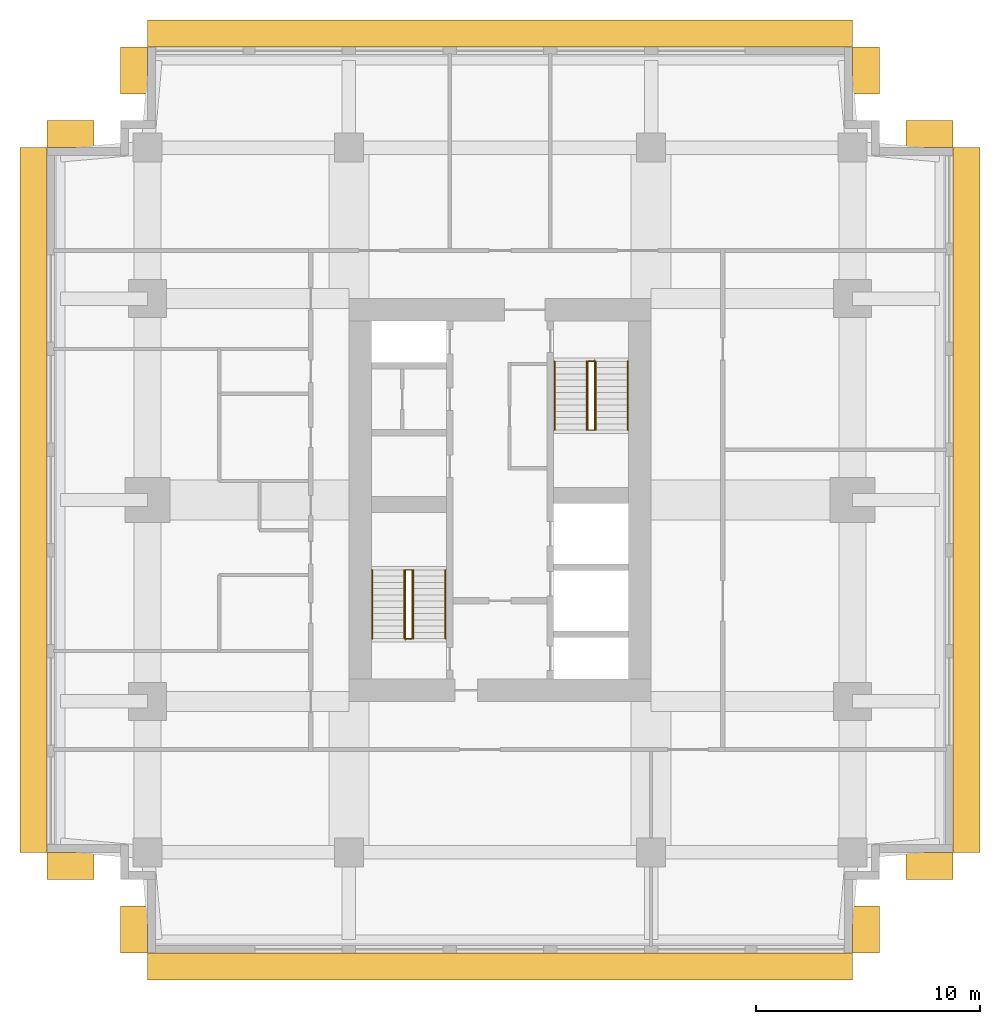
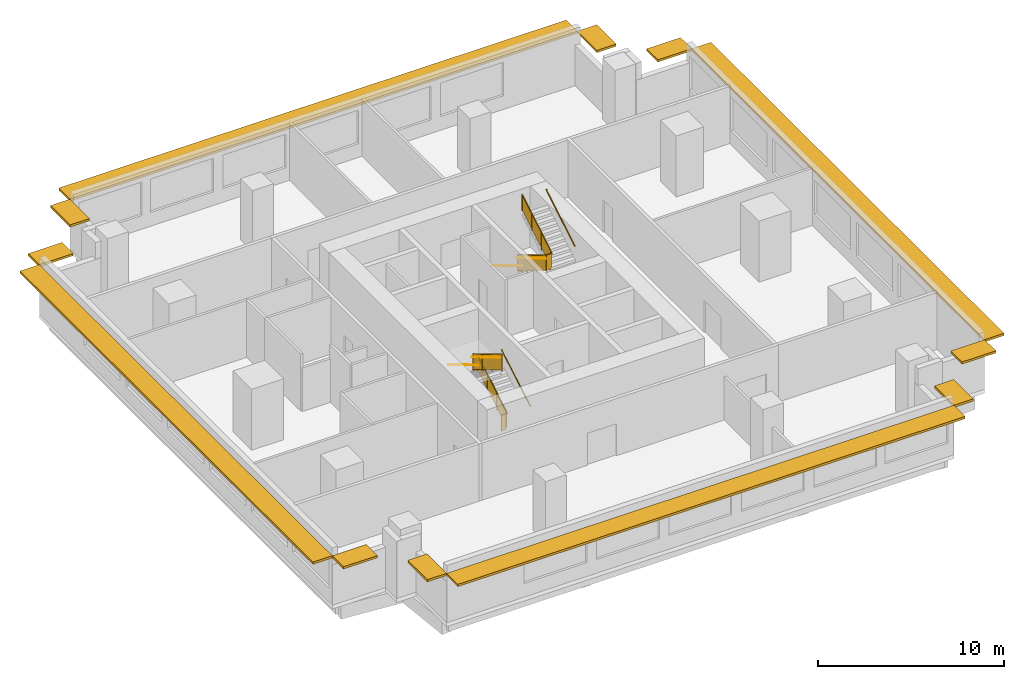
# One storey, part 5 of 5: 12 shading devices, 10 railings.
"""IFC4 building model written with IfcOpenShell, lengths in metres."""

from ifc_helpers import new_model, si_unit, direction, frame, origin, origin_2d, place, context, subcontext, project, spatial, polyline, rectangle, circle, outline, extrude, material, layer, layer_set, type_object, element, save


model = new_model("IFC4")

# Units and contexts
model_context = context("Model", 3, precision=1e-05, world=origin(), true_north=direction((0.0, 1.0)))
body_context = subcontext(model_context, "Body", "Model", "MODEL_VIEW")
ifc_project = project(units=[si_unit("LENGTHUNIT", "METRE"), si_unit("AREAUNIT", "SQUARE_METRE"), si_unit("VOLUMEUNIT", "CUBIC_METRE"), si_unit("PLANEANGLEUNIT", "RADIAN"), si_unit("MASSUNIT", "GRAM", prefix="KILO")], contexts=[model_context])

# Site, building, storey
site_placement = place(None, origin())
site = spatial("IfcSite", under=ifc_project, at=site_placement, CompositionType="ELEMENT")
building_placement = place(site_placement, origin())
building = spatial("IfcBuilding", under=site, at=building_placement, Name="Namib Vertical Campus", CompositionType="ELEMENT")
storey_placement = place(building_placement, frame((0.0, 0.0, 285.0)))
storey = spatial("IfcBuildingStorey", under=building, at=storey_placement, Name="L67", CompositionType="ELEMENT", Elevation=285.0)

# Railings
ifc_material_1 = material(Name="Steel handrail", Category="steel")
railing_type_1 = type_object("IfcRailingType", Name="Handrail 900", PredefinedType="HANDRAIL", material=ifc_material_1)
railing_1_placement = place(storey_placement, frame((17.800048828125, 14.050048828125, 0.166748046875)))
element("IfcRailing", 1, at=railing_1_placement, inside=storey, type_object=railing_type_1, Name="Handrail HR1 A-S1 L67 1", PredefinedType="HANDRAIL", context=body_context, shape_type="SweptSolid", body=[
    extrude(circle(Radius=0.02392578125, at=origin_2d()), frame((0.0, 0.0, 0.8759765625), z_axis=(0.0, 0.859290745958, 0.51148745235), x_axis=(-1.0, 0.0, 0.0)), (0.0, 0.0, 1.0), 3.584228515625),
    extrude(circle(Radius=0.008056640625, at=origin_2d()), frame((0.0, 0.0, 0.8759765625), z_axis=(1.0, 0.0, 0.0), x_axis=(0.0, 0.0, 1.0)), (0.0, 0.0, 1.0), 0.050048828125),
    extrude(circle(Radius=0.008056640625, at=origin_2d()), frame((0.0, 1.026611328125, 1.48681640625), z_axis=(1.0, 0.0, 0.0), x_axis=(0.0, 0.0, 1.0)), (0.0, 0.0, 1.0), 0.050048828125),
    extrude(circle(Radius=0.008056640625, at=origin_2d()), frame((0.0, 2.05322265625, 2.09814453125), z_axis=(1.0, 0.0, 0.0), x_axis=(0.0, 0.0, 1.0)), (0.0, 0.0, 1.0), 0.050048828125),
    extrude(circle(Radius=0.008056640625, at=origin_2d()), frame((0.0, 3.079833984375, 2.708984375), z_axis=(1.0, 0.0, 0.0), x_axis=(0.0, 0.0, 1.0)), (0.0, 0.0, 1.0), 0.050048828125),
])
railing_2_placement = place(storey_placement, frame((14.550048828125, 17.1298828125, 2.166748046875)))
element("IfcRailing", 2, at=railing_2_placement, inside=storey, type_object=railing_type_1, Name="Handrail HR1 A-S1 L67 2", PredefinedType="HANDRAIL", context=body_context, shape_type="SweptSolid", body=[
    extrude(circle(Radius=0.02392578125, at=origin_2d()), frame((0.0, 0.0, 0.8759765625), z_axis=(0.0, -0.859290745958, 0.51148745235), x_axis=(1.0, 0.0, 0.0)), (0.0, 0.0, 1.0), 3.584228515625),
    extrude(circle(Radius=0.008056640625, at=origin_2d()), frame((0.0, 0.0, 0.8759765625), z_axis=(-1.0, 0.0, 0.0), x_axis=(0.0, 0.0, 1.0)), (0.0, 0.0, 1.0), 0.050048828125),
    extrude(circle(Radius=0.008056640625, at=origin_2d()), frame((0.0, -1.026611328125, 1.48681640625), z_axis=(-1.0, 0.0, 0.0), x_axis=(0.0, 0.0, 1.0)), (0.0, 0.0, 1.0), 0.050048828125),
    extrude(circle(Radius=0.008056640625, at=origin_2d()), frame((0.0, -2.05322265625, 2.09814453125), z_axis=(-1.0, 0.0, 0.0), x_axis=(0.0, 0.0, 1.0)), (0.0, 0.0, 1.0), 0.050048828125),
    extrude(circle(Radius=0.008056640625, at=origin_2d()), frame((0.0, -3.079833984375, 2.708984375), z_axis=(-1.0, 0.0, 0.0), x_axis=(0.0, 0.0, 1.0)), (0.0, 0.0, 1.0), 0.050048828125),
])
railing_3_placement = place(storey_placement, frame((16.375, 14.050048828125, 0.166748046875)))
element("IfcRailing", 3, at=railing_3_placement, inside=storey, type_object=railing_type_1, Name="Handrail HR1 A-S1 L67 1 at the well", PredefinedType="HANDRAIL", context=body_context, shape_type="SweptSolid", body=[
    extrude(circle(Radius=0.02392578125, at=origin_2d()), frame((0.0, 0.0, 0.8759765625), z_axis=(0.0, 0.859290745958, 0.51148745235), x_axis=(-1.0, 0.0, 0.0)), (0.0, 0.0, 1.0), 3.584228515625),
    extrude(circle(Radius=0.008056640625, at=origin_2d()), frame((0.0, 0.0, 0.8759765625), z_axis=(-1.0, 0.0, 0.0), x_axis=(0.0, 0.0, 1.0)), (0.0, 0.0, 1.0), 0.0400390625),
    extrude(circle(Radius=0.008056640625, at=origin_2d()), frame((0.0, 1.026611328125, 1.48681640625), z_axis=(-1.0, 0.0, 0.0), x_axis=(0.0, 0.0, 1.0)), (0.0, 0.0, 1.0), 0.0400390625),
    extrude(circle(Radius=0.008056640625, at=origin_2d()), frame((0.0, 2.05322265625, 2.09814453125), z_axis=(-1.0, 0.0, 0.0), x_axis=(0.0, 0.0, 1.0)), (0.0, 0.0, 1.0), 0.0400390625),
    extrude(circle(Radius=0.008056640625, at=origin_2d()), frame((0.0, 3.079833984375, 2.708984375), z_axis=(-1.0, 0.0, 0.0), x_axis=(0.0, 0.0, 1.0)), (0.0, 0.0, 1.0), 0.0400390625),
])
railing_4_placement = place(storey_placement, frame((15.97509765625, 17.1298828125, 2.166748046875)))
element("IfcRailing", 4, at=railing_4_placement, inside=storey, type_object=railing_type_1, Name="Handrail HR1 A-S1 L67 2 at the well", PredefinedType="HANDRAIL", context=body_context, shape_type="SweptSolid", body=[
    extrude(circle(Radius=0.02392578125, at=origin_2d()), frame((0.0, 0.0, 0.8759765625), z_axis=(0.0, -0.859290745958, 0.51148745235), x_axis=(1.0, 0.0, 0.0)), (0.0, 0.0, 1.0), 3.584228515625),
    extrude(circle(Radius=0.008056640625, at=origin_2d()), frame((0.0, 0.0, 0.8759765625), z_axis=(1.0, 0.0, 0.0), x_axis=(0.0, 0.0, 1.0)), (0.0, 0.0, 1.0), 0.0400390625),
    extrude(circle(Radius=0.008056640625, at=origin_2d()), frame((0.0, -1.026611328125, 1.48681640625), z_axis=(1.0, 0.0, 0.0), x_axis=(0.0, 0.0, 1.0)), (0.0, 0.0, 1.0), 0.0400390625),
    extrude(circle(Radius=0.008056640625, at=origin_2d()), frame((0.0, -2.05322265625, 2.09814453125), z_axis=(1.0, 0.0, 0.0), x_axis=(0.0, 0.0, 1.0)), (0.0, 0.0, 1.0), 0.0400390625),
    extrude(circle(Radius=0.008056640625, at=origin_2d()), frame((0.0, -3.079833984375, 2.708984375), z_axis=(1.0, 0.0, 0.0), x_axis=(0.0, 0.0, 1.0)), (0.0, 0.0, 1.0), 0.0400390625),
])
railing_5_placement = place(storey_placement, frame((22.699951171875, 26.449951171875, 0.166748046875)))
element("IfcRailing", 5, at=railing_5_placement, inside=storey, type_object=railing_type_1, Name="Handrail HR1 A-S2 L67 1", PredefinedType="HANDRAIL", context=body_context, shape_type="SweptSolid", body=[
    extrude(circle(Radius=0.02392578125, at=origin_2d()), frame((0.0, 0.0, 0.8759765625), z_axis=(0.0, -0.859290745958, 0.51148745235), x_axis=(1.0, 0.0, 0.0)), (0.0, 0.0, 1.0), 3.584228515625),
    extrude(circle(Radius=0.008056640625, at=origin_2d()), frame((0.0, 0.0, 0.8759765625), z_axis=(-1.0, 0.0, 0.0), x_axis=(0.0, 0.0, 1.0)), (0.0, 0.0, 1.0), 0.050048828125),
    extrude(circle(Radius=0.008056640625, at=origin_2d()), frame((0.0, -1.026611328125, 1.48681640625), z_axis=(-1.0, 0.0, 0.0), x_axis=(0.0, 0.0, 1.0)), (0.0, 0.0, 1.0), 0.050048828125),
    extrude(circle(Radius=0.008056640625, at=origin_2d()), frame((0.0, -2.05322265625, 2.09814453125), z_axis=(-1.0, 0.0, 0.0), x_axis=(0.0, 0.0, 1.0)), (0.0, 0.0, 1.0), 0.050048828125),
    extrude(circle(Radius=0.008056640625, at=origin_2d()), frame((0.0, -3.079833984375, 2.708984375), z_axis=(-1.0, 0.0, 0.0), x_axis=(0.0, 0.0, 1.0)), (0.0, 0.0, 1.0), 0.050048828125),
])
railing_6_placement = place(storey_placement, frame((25.949951171875, 23.3701171875, 2.166748046875)))
element("IfcRailing", 6, at=railing_6_placement, inside=storey, type_object=railing_type_1, Name="Handrail HR1 A-S2 L67 2", PredefinedType="HANDRAIL", context=body_context, shape_type="SweptSolid", body=[
    extrude(circle(Radius=0.02392578125, at=origin_2d()), frame((0.0, 0.0, 0.8759765625), z_axis=(0.0, 0.859290745958, 0.51148745235), x_axis=(-1.0, 0.0, 0.0)), (0.0, 0.0, 1.0), 3.584228515625),
    extrude(circle(Radius=0.008056640625, at=origin_2d()), frame((0.0, 0.0, 0.8759765625), z_axis=(1.0, 0.0, 0.0), x_axis=(0.0, 0.0, 1.0)), (0.0, 0.0, 1.0), 0.050048828125),
    extrude(circle(Radius=0.008056640625, at=origin_2d()), frame((0.0, 1.026611328125, 1.48681640625), z_axis=(1.0, 0.0, 0.0), x_axis=(0.0, 0.0, 1.0)), (0.0, 0.0, 1.0), 0.050048828125),
    extrude(circle(Radius=0.008056640625, at=origin_2d()), frame((0.0, 2.05322265625, 2.09814453125), z_axis=(1.0, 0.0, 0.0), x_axis=(0.0, 0.0, 1.0)), (0.0, 0.0, 1.0), 0.050048828125),
    extrude(circle(Radius=0.008056640625, at=origin_2d()), frame((0.0, 3.079833984375, 2.708984375), z_axis=(1.0, 0.0, 0.0), x_axis=(0.0, 0.0, 1.0)), (0.0, 0.0, 1.0), 0.050048828125),
])
railing_7_placement = place(storey_placement, frame((24.125, 26.449951171875, 0.166748046875)))
element("IfcRailing", 7, at=railing_7_placement, inside=storey, type_object=railing_type_1, Name="Handrail HR1 A-S2 L67 1 at the well", PredefinedType="HANDRAIL", context=body_context, shape_type="SweptSolid", body=[
    extrude(circle(Radius=0.02392578125, at=origin_2d()), frame((0.0, 0.0, 0.8759765625), z_axis=(0.0, -0.859290745958, 0.51148745235), x_axis=(1.0, 0.0, 0.0)), (0.0, 0.0, 1.0), 3.584228515625),
    extrude(circle(Radius=0.008056640625, at=origin_2d()), frame((0.0, 0.0, 0.8759765625), z_axis=(1.0, 0.0, 0.0), x_axis=(0.0, 0.0, 1.0)), (0.0, 0.0, 1.0), 0.0400390625),
    extrude(circle(Radius=0.008056640625, at=origin_2d()), frame((0.0, -1.026611328125, 1.48681640625), z_axis=(1.0, 0.0, 0.0), x_axis=(0.0, 0.0, 1.0)), (0.0, 0.0, 1.0), 0.0400390625),
    extrude(circle(Radius=0.008056640625, at=origin_2d()), frame((0.0, -2.05322265625, 2.09814453125), z_axis=(1.0, 0.0, 0.0), x_axis=(0.0, 0.0, 1.0)), (0.0, 0.0, 1.0), 0.0400390625),
    extrude(circle(Radius=0.008056640625, at=origin_2d()), frame((0.0, -3.079833984375, 2.708984375), z_axis=(1.0, 0.0, 0.0), x_axis=(0.0, 0.0, 1.0)), (0.0, 0.0, 1.0), 0.0400390625),
])
railing_8_placement = place(storey_placement, frame((24.52490234375, 23.3701171875, 2.166748046875)))
element("IfcRailing", 8, at=railing_8_placement, inside=storey, type_object=railing_type_1, Name="Handrail HR1 A-S2 L67 2 at the well", PredefinedType="HANDRAIL", context=body_context, shape_type="SweptSolid", body=[
    extrude(circle(Radius=0.02392578125, at=origin_2d()), frame((0.0, 0.0, 0.8759765625), z_axis=(0.0, 0.859290745958, 0.51148745235), x_axis=(-1.0, 0.0, 0.0)), (0.0, 0.0, 1.0), 3.584228515625),
    extrude(circle(Radius=0.008056640625, at=origin_2d()), frame((0.0, 0.0, 0.8759765625), z_axis=(-1.0, 0.0, 0.0), x_axis=(0.0, 0.0, 1.0)), (0.0, 0.0, 1.0), 0.0400390625),
    extrude(circle(Radius=0.008056640625, at=origin_2d()), frame((0.0, 1.026611328125, 1.48681640625), z_axis=(-1.0, 0.0, 0.0), x_axis=(0.0, 0.0, 1.0)), (0.0, 0.0, 1.0), 0.0400390625),
    extrude(circle(Radius=0.008056640625, at=origin_2d()), frame((0.0, 2.05322265625, 2.09814453125), z_axis=(-1.0, 0.0, 0.0), x_axis=(0.0, 0.0, 1.0)), (0.0, 0.0, 1.0), 0.0400390625),
    extrude(circle(Radius=0.008056640625, at=origin_2d()), frame((0.0, 3.079833984375, 2.708984375), z_axis=(-1.0, 0.0, 0.0), x_axis=(0.0, 0.0, 1.0)), (0.0, 0.0, 1.0), 0.0400390625),
])
ifc_material_2 = material(Name="Steel balustrade", Category="steel")
railing_type_2 = type_object("IfcRailingType", Name="Stair guard 1100", PredefinedType="GUARDRAIL", material=ifc_material_2)
railing_9_placement = place(storey_placement, frame((16.02490234375, 14.050048828125, 0.0)))
element("IfcRailing", 9, at=railing_9_placement, inside=storey, type_object=railing_type_2, Name="Stair guard GR1 A-S1 L67", PredefinedType="GUARDRAIL", context=body_context, shape_type="SweptSolid", body=[
    extrude(circle(Radius=0.02392578125, at=origin_2d()), frame((0.0, 0.0, 1.076171875), z_axis=(1.0, 0.0, 0.0), x_axis=(0.0, 1.0, 0.0)), (0.0, 0.0, 1.0), 0.300048828125),
    extrude(outline(polyline([(0.02099609375, 0.050048828125), (0.279052734375, 0.050048828125), (0.279052734375, 1.052001953125), (0.02099609375, 1.052001953125), (0.02099609375, 0.050048828125)])), frame((0.0, 0.010009765625, 0.0), z_axis=(0.0, -1.0, 0.0), x_axis=(1.0, 0.0, 0.0)), (0.0, 0.0, 1.0), 0.02001953125),
    extrude(circle(Radius=0.02392578125, at=origin_2d()), frame((0.300048828125, 0.0, 1.076171875), z_axis=(0.0, 0.0, 1.0), x_axis=(1.0, 0.0, 0.0)), (0.0, 0.0, 1.0), 0.166748046875),
    extrude(circle(Radius=0.02392578125, at=origin_2d()), frame((0.300048828125, 0.0, 1.24267578125), z_axis=(0.0, 0.859290745958, 0.51148745235), x_axis=(-1.0, 0.0, 0.0)), (0.0, 0.0, 1.0), 3.584228515625),
    extrude(outline(polyline([(0.02099609375, 0.0625), (3.058837890625, 1.870849609375), (3.058837890625, 2.872802734375), (0.02099609375, 1.064453125), (0.02099609375, 0.0625)])), frame((0.2900390625, 0.0, 0.166748046875), z_axis=(1.0, 0.0, 0.0), x_axis=(0.0, 1.0, 0.0)), (0.0, 0.0, 1.0), 0.02001953125),
    extrude(circle(Radius=0.02392578125, at=origin_2d()), frame((0.300048828125, 3.079833984375, 3.076171875), z_axis=(-1.0, 0.0, 0.0), x_axis=(0.0, -1.0, 0.0)), (0.0, 0.0, 1.0), 0.300048828125),
    extrude(outline(polyline([(0.02099609375, 0.050048828125), (0.279052734375, 0.050048828125), (0.279052734375, 1.052001953125), (0.02099609375, 1.052001953125), (0.02099609375, 0.050048828125)])), frame((0.300048828125, 3.06982421875, 2.0), z_axis=(0.0, 1.0, 0.0), x_axis=(-1.0, 0.0, 0.0)), (0.0, 0.0, 1.0), 0.02001953125),
    extrude(circle(Radius=0.02392578125, at=origin_2d()), frame((0.0, 3.079833984375, 3.076171875), z_axis=(0.0, 0.0, 1.0), x_axis=(1.0, 0.0, 0.0)), (0.0, 0.0, 1.0), 0.166748046875),
    extrude(circle(Radius=0.02392578125, at=origin_2d()), frame((0.0, 3.079833984375, 3.24267578125), z_axis=(0.0, -0.859290745958, 0.51148745235), x_axis=(1.0, 0.0, 0.0)), (0.0, 0.0, 1.0), 3.584228515625),
    extrude(outline(polyline([(0.02099609375, 0.0625), (3.058837890625, 1.870849609375), (3.058837890625, 2.872802734375), (0.02099609375, 1.064453125), (0.02099609375, 0.0625)])), frame((0.010009765625, 3.079833984375, 2.166748046875), z_axis=(-1.0, 0.0, 0.0), x_axis=(0.0, -1.0, 0.0)), (0.0, 0.0, 1.0), 0.02001953125),
    extrude(circle(Radius=0.02392578125, at=origin_2d()), frame((0.0, 0.0, 5.076171875), z_axis=(0.0, -1.0, 0.0), x_axis=(1.0, 0.0, 0.0)), (0.0, 0.0, 1.0), 0.050048828125),
    extrude(outline(polyline([(0.02099609375, 0.050048828125), (0.029052734375, 0.050048828125), (0.029052734375, 1.052001953125), (0.02099609375, 1.052001953125), (0.02099609375, 0.050048828125)])), frame((0.010009765625, 0.0, 4.0), z_axis=(-1.0, 0.0, 0.0), x_axis=(0.0, -1.0, 0.0)), (0.0, 0.0, 1.0), 0.02001953125),
    extrude(circle(Radius=0.02099609375, at=origin_2d()), origin(), (0.0, 0.0, 1.0), 1.052001953125),
    extrude(circle(Radius=0.02099609375, at=origin_2d()), frame((0.300048828125, 0.0, 0.166748046875)), (0.0, 0.0, 1.0), 1.052001953125),
    extrude(circle(Radius=0.02099609375, at=origin_2d()), frame((0.300048828125, 1.026611328125, 0.666748046875)), (0.0, 0.0, 1.0), 1.1630859375),
    extrude(circle(Radius=0.02099609375, at=origin_2d()), frame((0.300048828125, 2.05322265625, 1.33349609375)), (0.0, 0.0, 1.0), 1.107421875),
    extrude(circle(Radius=0.02099609375, at=origin_2d()), frame((0.300048828125, 3.079833984375, 2.0)), (0.0, 0.0, 1.0), 1.052001953125),
    extrude(circle(Radius=0.02099609375, at=origin_2d()), frame((0.0, 3.079833984375, 2.166748046875)), (0.0, 0.0, 1.0), 1.052001953125),
    extrude(circle(Radius=0.02099609375, at=origin_2d()), frame((0.0, 2.05322265625, 2.666748046875)), (0.0, 0.0, 1.0), 1.1630859375),
    extrude(circle(Radius=0.02099609375, at=origin_2d()), frame((0.0, 1.026611328125, 3.33349609375)), (0.0, 0.0, 1.0), 1.107421875),
    extrude(circle(Radius=0.02099609375, at=origin_2d()), frame((0.0, 0.0, 4.0)), (0.0, 0.0, 1.0), 1.052001953125),
    extrude(circle(Radius=0.02099609375, at=origin_2d()), frame((0.0, -0.050048828125, 4.0)), (0.0, 0.0, 1.0), 1.052001953125),
])
railing_10_placement = place(storey_placement, frame((24.47509765625, 26.449951171875, 0.0)))
element("IfcRailing", 10, at=railing_10_placement, inside=storey, type_object=railing_type_2, Name="Stair guard GR1 A-S2 L67", PredefinedType="GUARDRAIL", context=body_context, shape_type="SweptSolid", body=[
    extrude(circle(Radius=0.02392578125, at=origin_2d()), frame((0.0, 0.0, 1.076171875), z_axis=(-1.0, 0.0, 0.0), x_axis=(0.0, -1.0, 0.0)), (0.0, 0.0, 1.0), 0.300048828125),
    extrude(outline(polyline([(0.02099609375, 0.050048828125), (0.279052734375, 0.050048828125), (0.279052734375, 1.052001953125), (0.02099609375, 1.052001953125), (0.02099609375, 0.050048828125)])), frame((0.0, -0.010009765625, 0.0), z_axis=(0.0, 1.0, 0.0), x_axis=(-1.0, 0.0, 0.0)), (0.0, 0.0, 1.0), 0.02001953125),
    extrude(circle(Radius=0.02392578125, at=origin_2d()), frame((-0.300048828125, 0.0, 1.076171875), z_axis=(0.0, 0.0, 1.0), x_axis=(1.0, 0.0, 0.0)), (0.0, 0.0, 1.0), 0.166748046875),
    extrude(circle(Radius=0.02392578125, at=origin_2d()), frame((-0.300048828125, 0.0, 1.24267578125), z_axis=(0.0, -0.859290745958, 0.51148745235), x_axis=(1.0, 0.0, 0.0)), (0.0, 0.0, 1.0), 3.584228515625),
    extrude(outline(polyline([(0.02099609375, 0.0625), (3.058837890625, 1.870849609375), (3.058837890625, 2.872802734375), (0.02099609375, 1.064453125), (0.02099609375, 0.0625)])), frame((-0.2900390625, 0.0, 0.166748046875), z_axis=(-1.0, 0.0, 0.0), x_axis=(0.0, -1.0, 0.0)), (0.0, 0.0, 1.0), 0.02001953125),
    extrude(circle(Radius=0.02392578125, at=origin_2d()), frame((-0.300048828125, -3.079833984375, 3.076171875), z_axis=(1.0, 0.0, 0.0), x_axis=(0.0, 1.0, 0.0)), (0.0, 0.0, 1.0), 0.300048828125),
    extrude(outline(polyline([(0.02099609375, 0.050048828125), (0.279052734375, 0.050048828125), (0.279052734375, 1.052001953125), (0.02099609375, 1.052001953125), (0.02099609375, 0.050048828125)])), frame((-0.300048828125, -3.06982421875, 2.0), z_axis=(0.0, -1.0, 0.0), x_axis=(1.0, 0.0, 0.0)), (0.0, 0.0, 1.0), 0.02001953125),
    extrude(circle(Radius=0.02392578125, at=origin_2d()), frame((0.0, -3.079833984375, 3.076171875), z_axis=(0.0, 0.0, 1.0), x_axis=(1.0, 0.0, 0.0)), (0.0, 0.0, 1.0), 0.166748046875),
    extrude(circle(Radius=0.02392578125, at=origin_2d()), frame((0.0, -3.079833984375, 3.24267578125), z_axis=(0.0, 0.859290745958, 0.51148745235), x_axis=(-1.0, 0.0, 0.0)), (0.0, 0.0, 1.0), 3.584228515625),
    extrude(outline(polyline([(0.02099609375, 0.0625), (3.058837890625, 1.870849609375), (3.058837890625, 2.872802734375), (0.02099609375, 1.064453125), (0.02099609375, 0.0625)])), frame((-0.010009765625, -3.079833984375, 2.166748046875), z_axis=(1.0, 0.0, 0.0), x_axis=(0.0, 1.0, 0.0)), (0.0, 0.0, 1.0), 0.02001953125),
    extrude(circle(Radius=0.02392578125, at=origin_2d()), frame((0.0, 0.0, 5.076171875), z_axis=(0.0, 1.0, 0.0), x_axis=(-1.0, 0.0, 0.0)), (0.0, 0.0, 1.0), 0.050048828125),
    extrude(outline(polyline([(0.02099609375, 0.050048828125), (0.029052734375, 0.050048828125), (0.029052734375, 1.052001953125), (0.02099609375, 1.052001953125), (0.02099609375, 0.050048828125)])), frame((-0.010009765625, 0.0, 4.0), z_axis=(1.0, 0.0, 0.0), x_axis=(0.0, 1.0, 0.0)), (0.0, 0.0, 1.0), 0.02001953125),
    extrude(circle(Radius=0.02099609375, at=origin_2d()), origin(), (0.0, 0.0, 1.0), 1.052001953125),
    extrude(circle(Radius=0.02099609375, at=origin_2d()), frame((-0.300048828125, 0.0, 0.166748046875)), (0.0, 0.0, 1.0), 1.052001953125),
    extrude(circle(Radius=0.02099609375, at=origin_2d()), frame((-0.300048828125, -1.026611328125, 0.666748046875)), (0.0, 0.0, 1.0), 1.1630859375),
    extrude(circle(Radius=0.02099609375, at=origin_2d()), frame((-0.300048828125, -2.05322265625, 1.33349609375)), (0.0, 0.0, 1.0), 1.107421875),
    extrude(circle(Radius=0.02099609375, at=origin_2d()), frame((-0.300048828125, -3.079833984375, 2.0)), (0.0, 0.0, 1.0), 1.052001953125),
    extrude(circle(Radius=0.02099609375, at=origin_2d()), frame((0.0, -3.079833984375, 2.166748046875)), (0.0, 0.0, 1.0), 1.052001953125),
    extrude(circle(Radius=0.02099609375, at=origin_2d()), frame((0.0, -2.05322265625, 2.666748046875)), (0.0, 0.0, 1.0), 1.1630859375),
    extrude(circle(Radius=0.02099609375, at=origin_2d()), frame((0.0, -1.026611328125, 3.33349609375)), (0.0, 0.0, 1.0), 1.107421875),
    extrude(circle(Radius=0.02099609375, at=origin_2d()), frame((0.0, 0.0, 4.0)), (0.0, 0.0, 1.0), 1.052001953125),
    extrude(circle(Radius=0.02099609375, at=origin_2d()), frame((0.0, 0.050048828125, 4.0)), (0.0, 0.0, 1.0), 1.052001953125),
])

# Shading devices
ifc_material_3 = material(Name="Concrete C40/50 precast", Category="concrete")
ifc_layer = layer(ifc_material_3, 0.14990234375)
ifc_layer_set = layer_set([ifc_layer], Name="Concrete C40/50 precast")
shading_device_type = type_object("IfcShadingDeviceType", Name="Sunshade hood 1200", PredefinedType="SHUTTER", material=ifc_layer_set)
shading_device_1_placement = place(storey_placement, frame((20.25, -0.60009765625, 3.10009765625), z_axis=(0.0, 0.0, 1.0), x_axis=(1.0, 0.0, 0.0)))
element("IfcShadingDevice", 11, at=shading_device_1_placement, inside=storey, type_object=shading_device_type, Name="Sunshade SH2 L67 1", PredefinedType="SHUTTER", context=body_context, shape_type="SweptSolid", body=[
    extrude(rectangle(XDim=31.5, YDim=1.199951171875, at=origin_2d()), origin(), (0.0, 0.0, 1.0), 0.14990234375),
])
for number, where, z_axis, x_axis, name in (
    (12, (36.60009765625, 1.050048828125, 3.10009765625), (0.0, 0.0, 1.0), (0.0, 1.0, 0.0), "Sunshade SH2 L67 2"),
    (13, (39.449951171875, 3.89990234375, 3.10009765625), (0.0, 0.0, 1.0), (1.0, 0.0, 0.0), "Sunshade SH2 L67 5"),
):
    element("IfcShadingDevice", number, at=place(storey_placement, frame(where, z_axis=z_axis, x_axis=x_axis)), inside=storey, type_object=shading_device_type, Name=name, PredefinedType="SHUTTER", context=body_context, shape_type="SweptSolid", body=[
        extrude(rectangle(XDim=2.10009765625, YDim=1.199951171875, at=origin_2d()), origin(), (0.0, 0.0, 1.0), 0.14990234375),
    ])
shading_device_2_placement = place(storey_placement, frame((41.10009765625, 20.25, 3.10009765625), z_axis=(0.0, 0.0, 1.0), x_axis=(0.0, 1.0, 0.0)))
element("IfcShadingDevice", 14, at=shading_device_2_placement, inside=storey, type_object=shading_device_type, Name="Sunshade SH2 L67 6", PredefinedType="SHUTTER", context=body_context, shape_type="SweptSolid", body=[
    extrude(rectangle(XDim=31.5, YDim=1.199951171875, at=origin_2d()), origin(), (0.0, 0.0, 1.0), 0.14990234375),
])
for number, where, z_axis, x_axis, name in (
    (15, (39.449951171875, 36.60009765625, 3.10009765625), (0.0, 0.0, 1.0), (-1.0, 0.0, 0.0), "Sunshade SH2 L67 7"),
    (16, (36.60009765625, 39.449951171875, 3.10009765625), (0.0, 0.0, 1.0), (0.0, 1.0, 0.0), "Sunshade SH2 L67 10"),
):
    element("IfcShadingDevice", number, at=place(storey_placement, frame(where, z_axis=z_axis, x_axis=x_axis)), inside=storey, type_object=shading_device_type, Name=name, PredefinedType="SHUTTER", context=body_context, shape_type="SweptSolid", body=[
        extrude(rectangle(XDim=2.10009765625, YDim=1.199951171875, at=origin_2d()), origin(), (0.0, 0.0, 1.0), 0.14990234375),
    ])
shading_device_3_placement = place(storey_placement, frame((20.25, 41.10009765625, 3.10009765625), z_axis=(0.0, 0.0, 1.0), x_axis=(-1.0, 0.0, 0.0)))
element("IfcShadingDevice", 17, at=shading_device_3_placement, inside=storey, type_object=shading_device_type, Name="Sunshade SH2 L67 11", PredefinedType="SHUTTER", context=body_context, shape_type="SweptSolid", body=[
    extrude(rectangle(XDim=31.5, YDim=1.199951171875, at=origin_2d()), origin(), (0.0, 0.0, 1.0), 0.14990234375),
])
for number, where, z_axis, x_axis, name in (
    (18, (3.89990234375, 39.449951171875, 3.10009765625), (0.0, 0.0, 1.0), (0.0, -1.0, 0.0), "Sunshade SH2 L67 12"),
    (19, (1.050048828125, 36.60009765625, 3.10009765625), (0.0, 0.0, 1.0), (-1.0, 0.0, 0.0), "Sunshade SH2 L67 15"),
):
    element("IfcShadingDevice", number, at=place(storey_placement, frame(where, z_axis=z_axis, x_axis=x_axis)), inside=storey, type_object=shading_device_type, Name=name, PredefinedType="SHUTTER", context=body_context, shape_type="SweptSolid", body=[
        extrude(rectangle(XDim=2.10009765625, YDim=1.199951171875, at=origin_2d()), origin(), (0.0, 0.0, 1.0), 0.14990234375),
    ])
shading_device_4_placement = place(storey_placement, frame((-0.60009765625, 20.25, 3.10009765625), z_axis=(0.0, 0.0, 1.0), x_axis=(0.0, -1.0, 0.0)))
element("IfcShadingDevice", 20, at=shading_device_4_placement, inside=storey, type_object=shading_device_type, Name="Sunshade SH2 L67 16", PredefinedType="SHUTTER", context=body_context, shape_type="SweptSolid", body=[
    extrude(rectangle(XDim=31.5, YDim=1.199951171875, at=origin_2d()), origin(), (0.0, 0.0, 1.0), 0.14990234375),
])
for number, where, z_axis, x_axis, name in (
    (21, (1.050048828125, 3.89990234375, 3.10009765625), (0.0, 0.0, 1.0), (1.0, 0.0, 0.0), "Sunshade SH2 L67 17"),
    (22, (3.89990234375, 1.050048828125, 3.10009765625), (0.0, 0.0, 1.0), (0.0, -1.0, 0.0), "Sunshade SH2 L67 20"),
):
    element("IfcShadingDevice", number, at=place(storey_placement, frame(where, z_axis=z_axis, x_axis=x_axis)), inside=storey, type_object=shading_device_type, Name=name, PredefinedType="SHUTTER", context=body_context, shape_type="SweptSolid", body=[
        extrude(rectangle(XDim=2.10009765625, YDim=1.199951171875, at=origin_2d()), origin(), (0.0, 0.0, 1.0), 0.14990234375),
    ])

save(model, "model.ifc")
